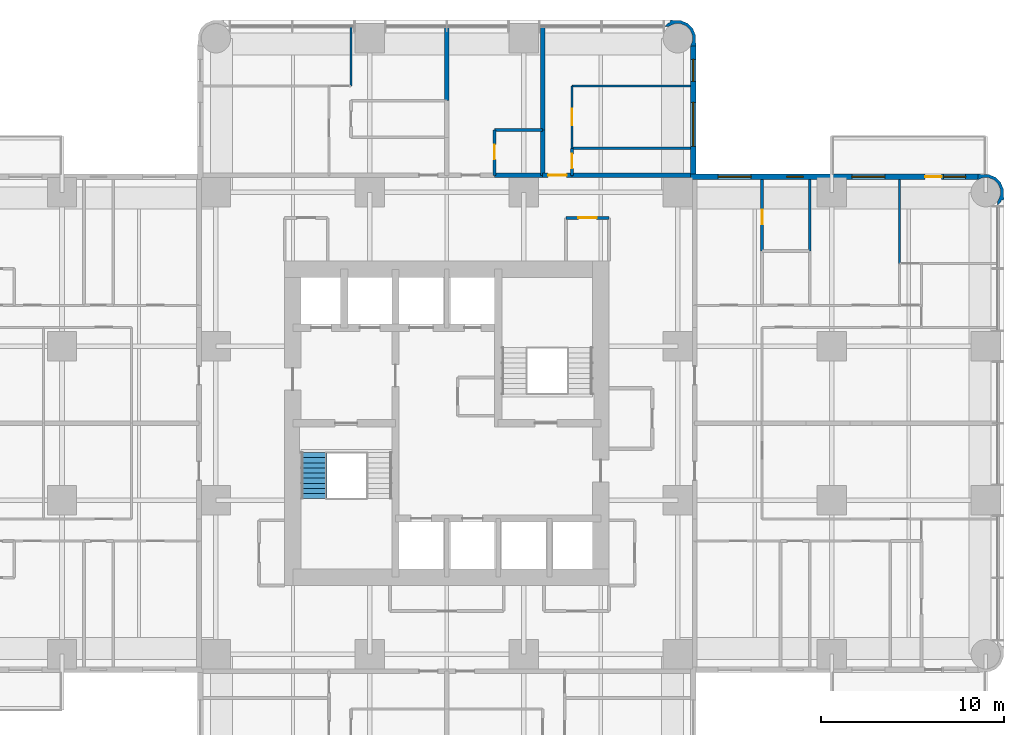
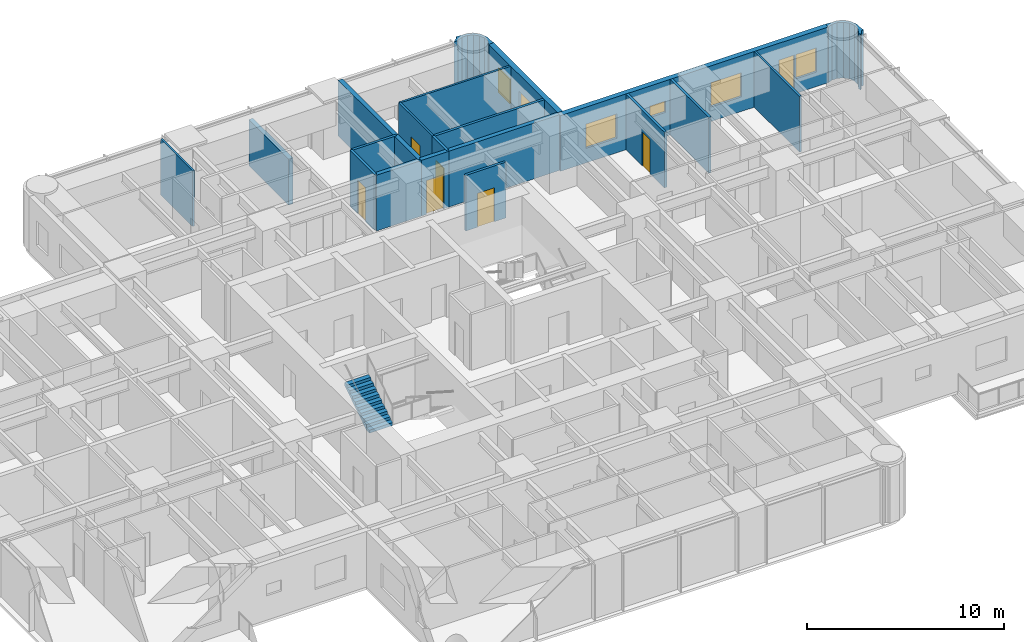
# One storey, part 12 of 15: 21 walls, 7 doors, 6 windows, 1 stair flight, 13 openings, 1 element without a shape of its own.
"""IFC4 building model written with IfcOpenShell, lengths in metres."""

from ifc_helpers import new_model, si_unit, direction, frame, frame_2d, origin, place, context, subcontext, project, spatial, polyline, rectangle, outline, extrude, material, layer, layer_set, type_object, element, fill, aggregate, save


model = new_model("IFC4")

# Units and contexts
model_context = context("Model", 3, precision=1e-05, world=origin(), true_north=direction((0.0, 1.0)))
body_context = subcontext(model_context, "Body", "Model", "MODEL_VIEW")
ifc_project = project(units=[si_unit("LENGTHUNIT", "METRE"), si_unit("AREAUNIT", "SQUARE_METRE"), si_unit("VOLUMEUNIT", "CUBIC_METRE"), si_unit("PLANEANGLEUNIT", "RADIAN"), si_unit("MASSUNIT", "GRAM", prefix="KILO")], contexts=[model_context])

# Site, building, storey
site_placement = place(None, origin())
site = spatial("IfcSite", under=ifc_project, at=site_placement, CompositionType="ELEMENT")
building_placement = place(site_placement, origin())
building = spatial("IfcBuilding", under=site, at=building_placement, Name="Torre Alcanfor", CompositionType="ELEMENT")
storey_placement = place(building_placement, frame((0.0, 0.0, 152.10009765625)))
storey = spatial("IfcBuildingStorey", under=building, at=storey_placement, Name="L39", CompositionType="ELEMENT", Elevation=152.10009765625)

# Wall
ifc_material_1 = material(Name="Concrete block masonry, hollow blocks NMX-C-404 9 MPa", Category="masonry")
ifc_layer_1 = layer(ifc_material_1, 0.25)
ifc_layer_set_1 = layer_set([ifc_layer_1], Name="Apartment entrance wall 250 EI 60")
wall_type_1 = type_object("IfcWallType", Name="Apartment entrance wall 250 EI 60", PredefinedType="PARTITIONING", material=ifc_layer_set_1)
wall_1_placement = place(storey_placement, frame((32.0, 42.925048828125, 0.0), z_axis=(0.0, 0.0, 1.0), x_axis=(1.0, 0.0, 0.0)))
element("IfcWall", 1, at=wall_1_placement, inside=storey, type_object=wall_type_1, Name="Partition L39-CORR / L39-N2A-BATH", PredefinedType="PARTITIONING", context=body_context, shape_type="SweptSolid", body=[
    extrude(rectangle(XDim=2.62890625, YDim=0.25, at=frame_2d((1.314453125, 0.0))), origin(), (0.0, 0.0, 1.0), 3.449951171875),
])

# Wall, opening, door
wall_2_placement = place(storey_placement, frame((34.62890625, 42.925048828125, 0.0), z_axis=(0.0, 0.0, 1.0), x_axis=(1.0, 0.0, 0.0)))
wall_2 = element("IfcWall", 2, at=wall_2_placement, inside=storey, type_object=wall_type_1, Name="Partition L39-CORR / L39-N2B-LIVING", PredefinedType="PARTITIONING", context=body_context, shape_type="SweptSolid", body=[
    extrude(rectangle(XDim=1.60009765625, YDim=0.25, at=frame_2d((0.800048828125, 0.0))), origin(), (0.0, 0.0, 1.0), 3.449951171875),
])
opening_1_placement = place(wall_2_placement, frame((0.300048828125, 0.0, 0.0)))
opening_1 = element("IfcOpeningElement", 3, at=opening_1_placement, cuts=wall_2, Name="Opening D-A1", PredefinedType="OPENING", context=body_context, shape_type="SweptSolid", body=[
    extrude(rectangle(XDim=1.0, YDim=2.10009765625, at=frame_2d((0.5, 1.050048828125))), frame((0.0, 0.135009765625, 0.0), z_axis=(0.0, -1.0, 0.0), x_axis=(1.0, 0.0, 0.0)), (0.0, 0.0, 1.0), 0.27001953125),
])
ifc_material_2 = material(Name="Galvanised steel sheet ASTM A653", Category="steel")
door_type_1 = type_object("IfcDoorType", Name="Apartment entrance door FD60 1000x2100", OperationType="SINGLE_SWING_LEFT", PredefinedType="DOOR", material=ifc_material_2)
door_1_placement = place(opening_1_placement, origin())
door_1 = element("IfcDoor", 4, at=door_1_placement, inside=storey, type_object=door_type_1, Name="Apartment entrance L39-N2B", OperationType="SINGLE_SWING_LEFT", OverallHeight=2.10009765625, OverallWidth=1.0, PredefinedType="DOOR", context=body_context, shape_type="SweptSolid", body=[
    extrude(rectangle(XDim=1.0, YDim=2.10009765625, at=frame_2d((0.5, 1.050048828125))), frame((0.0, 0.02490234375, 0.0), z_axis=(0.0, -1.0, 0.0), x_axis=(1.0, 0.0, 0.0)), (0.0, 0.0, 1.0), 0.050048828125),
])
fill(opening_1, door_1)

# Walls
wall_3_placement = place(storey_placement, frame((36.22900390625, 42.925048828125, 0.0), z_axis=(0.0, 0.0, 1.0), x_axis=(1.0, 0.0, 0.0)))
element("IfcWall", 5, at=wall_3_placement, inside=storey, type_object=wall_type_1, Name="Partition L39-CORR / L39-N2B-BATH", PredefinedType="PARTITIONING", context=body_context, shape_type="SweptSolid", body=[
    extrude(rectangle(XDim=6.470947265625, YDim=0.25, at=frame_2d((3.2353515625, 0.0))), origin(), (0.0, 0.0, 1.0), 3.449951171875),
])
ifc_material_3 = material(Name="Gypsum board on steel studs", Category="steel")
ifc_layer_2 = layer(ifc_material_3, 0.1201171875)
ifc_layer_set_2 = layer_set([ifc_layer_2], Name="Apartment partition 120")
wall_type_2 = type_object("IfcWallType", Name="Apartment partition 120", PredefinedType="PARTITIONING", material=ifc_layer_set_2)
wall_4_placement = place(storey_placement, frame((24.1708984375, 47.800048828125, 0.0), z_axis=(0.0, 0.0, 1.0), x_axis=(0.0, 1.0, 0.0)))
element("IfcWall", 6, at=wall_4_placement, inside=storey, type_object=wall_type_2, Name="Partition L39-N1-LIVING / L39-N1-MASTER", PredefinedType="PARTITIONING", context=body_context, shape_type="SweptSolid", body=[
    extrude(rectangle(XDim=3.25, YDim=0.1201171875, at=frame_2d((1.625, 0.0))), origin(), (0.0, 0.0, 1.0), 3.449951171875),
])
wall_5_placement = place(storey_placement, frame((42.699951171875, 47.800048828125, 0.0), z_axis=(0.0, 0.0, 1.0), x_axis=(-1.0, 0.0, 0.0)))
element("IfcWall", 7, at=wall_5_placement, inside=storey, type_object=wall_type_2, Name="Partition L39-N2B-LIVING / L39-N2B-MASTER", PredefinedType="PARTITIONING", context=body_context, shape_type="SweptSolid", body=[
    extrude(rectangle(XDim=6.470947265625, YDim=0.1201171875, at=frame_2d((3.2353515625, 0.0))), origin(), (0.0, 0.0, 1.0), 3.449951171875),
])

# Wall, opening, door
wall_6_placement = place(storey_placement, frame((36.22900390625, 47.800048828125, 0.0), z_axis=(0.0, 0.0, 1.0), x_axis=(0.0, -1.0, 0.0)))
wall_6 = element("IfcWall", 8, at=wall_6_placement, inside=storey, type_object=wall_type_2, Name="Partition L39-N2B-LIVING / L39-N2B-MASTER", PredefinedType="PARTITIONING", context=body_context, shape_type="SweptSolid", body=[
    extrude(rectangle(XDim=3.400146484375, YDim=0.1201171875, at=frame_2d((1.7001953125, 0.0))), origin(), (0.0, 0.0, 1.0), 3.449951171875),
])
opening_2_placement = place(wall_6_placement, frame((1.25, 0.0, 0.0)))
opening_2 = element("IfcOpeningElement", 9, at=opening_2_placement, cuts=wall_6, Name="Opening D-R1", PredefinedType="OPENING", context=body_context, shape_type="SweptSolid", body=[
    extrude(rectangle(XDim=0.89990234375, YDim=2.10009765625, at=frame_2d((0.449951171875, 1.050048828125))), frame((0.0, 0.070068359375, 0.0), z_axis=(0.0, -1.0, 0.0), x_axis=(1.0, 0.0, 0.0)), (0.0, 0.0, 1.0), 0.14013671875),
])
ifc_material_4 = material(Name="Timber", Category="wood")
door_type_2 = type_object("IfcDoorType", Name="Internal door 900x2100", OperationType="SINGLE_SWING_LEFT", PredefinedType="DOOR", material=ifc_material_4)
door_2_placement = place(opening_2_placement, origin())
door_2 = element("IfcDoor", 10, at=door_2_placement, inside=storey, type_object=door_type_2, Name="Door L39-N2B master", OperationType="SINGLE_SWING_LEFT", OverallHeight=2.10009765625, OverallWidth=0.89990234375, PredefinedType="DOOR", context=body_context, shape_type="SweptSolid", body=[
    extrude(rectangle(XDim=0.89990234375, YDim=2.10009765625, at=frame_2d((0.449951171875, 1.050048828125))), frame((0.0, 0.02490234375, 0.0), z_axis=(0.0, -1.0, 0.0), x_axis=(1.0, 0.0, 0.0)), (0.0, 0.0, 1.0), 0.050048828125),
])
fill(opening_2, door_2)

# Wall
wall_7_placement = place(storey_placement, frame((54.10009765625, 38.114013671875, 0.0), z_axis=(0.0, 0.0, 1.0), x_axis=(0.0, 1.0, 0.0)))
element("IfcWall", 11, at=wall_7_placement, inside=storey, type_object=wall_type_2, Name="Partition L39-E1-BED3 / L39-E1-MASTER", PredefinedType="PARTITIONING", context=body_context, shape_type="SweptSolid", body=[
    extrude(rectangle(XDim=4.5859375, YDim=0.1201171875, at=frame_2d((2.29296875, 0.0))), origin(), (0.0, 0.0, 1.0), 3.449951171875),
])

# Wall, openings, door, windows
ifc_material_5 = material(Name="Limestone cladding", Category="masonry")
ifc_layer_3 = layer(ifc_material_5, 0.0400390625, Name="Facing")
ifc_material_6 = material(Name="Ventilated air cavity")
ifc_layer_4 = layer(ifc_material_6, 0.02001953125, ventilated=True, Name="Ventilated joint")
ifc_material_7 = material(Name="Mineral wool insulation", Category="insulation")
ifc_layer_5 = layer(ifc_material_7, 0.10009765625, Name="Insulation")
ifc_material_8 = material(Name="Concrete f'c 35 MPa", Category="concrete")
ifc_layer_6 = layer(ifc_material_8, 0.139892578125, Name="Backing")
ifc_layer_set_3 = layer_set([ifc_layer_3, ifc_layer_4, ifc_layer_5, ifc_layer_6], Name="External wall stone-clad 300")
wall_type_3 = type_object("IfcWallType", Name="External wall stone-clad 300", PredefinedType="SOLIDWALL", material=ifc_layer_set_3)
wall_8_placement = place(storey_placement, frame((58.39990234375, 42.85009765625, 0.0), z_axis=(0.0, 0.0, 1.0), x_axis=(-1.0, 0.0, 0.0)))
wall_8 = element("IfcWall", 12, at=wall_8_placement, inside=storey, type_object=wall_type_3, Name="External wall L39 9", PredefinedType="SOLIDWALL", context=body_context, shape_type="SweptSolid", body=[
    extrude(rectangle(XDim=15.699951171875, YDim=0.300048828125, at=frame_2d((7.85009765625, 0.0))), origin(), (0.0, 0.0, 1.0), 3.449951171875),
])
opening_3_placement = place(wall_8_placement, frame((12.39990234375, 0.0, 0.89990234375)))
opening_3 = element("IfcOpeningElement", 13, at=opening_3_placement, cuts=wall_8, Name="Opening W2", PredefinedType="OPENING", context=body_context, shape_type="SweptSolid", body=[
    extrude(rectangle(XDim=1.800048828125, YDim=1.5, at=frame_2d((0.89990234375, 0.75))), frame((0.0, 0.159912109375, 0.0), z_axis=(0.0, -1.0, 0.0), x_axis=(1.0, 0.0, 0.0)), (0.0, 0.0, 1.0), 0.320068359375),
])
opening_4_placement = place(wall_8_placement, frame((9.550048828125, 0.0, 1.5)))
opening_4 = element("IfcOpeningElement", 14, at=opening_4_placement, cuts=wall_8, Name="Opening W3", PredefinedType="OPENING", context=body_context, shape_type="SweptSolid", body=[
    extrude(rectangle(XDim=0.89990234375, YDim=0.699951171875, at=frame_2d((0.449951171875, 0.35009765625))), frame((0.0, 0.159912109375, 0.0), z_axis=(0.0, -1.0, 0.0), x_axis=(1.0, 0.0, 0.0)), (0.0, 0.0, 1.0), 0.320068359375),
])
opening_5_placement = place(wall_8_placement, frame((5.10009765625, 0.0, 0.89990234375)))
opening_5 = element("IfcOpeningElement", 15, at=opening_5_placement, cuts=wall_8, Name="Opening W2", PredefinedType="OPENING", context=body_context, shape_type="SweptSolid", body=[
    extrude(rectangle(XDim=1.800048828125, YDim=1.5, at=frame_2d((0.89990234375, 0.75))), frame((0.0, 0.159912109375, 0.0), z_axis=(0.0, -1.0, 0.0), x_axis=(1.0, 0.0, 0.0)), (0.0, 0.0, 1.0), 0.320068359375),
])
opening_6_placement = place(wall_8_placement, frame((2.0, 0.0, 0.0)))
opening_6 = element("IfcOpeningElement", 16, at=opening_6_placement, cuts=wall_8, Name="Opening D-B1", PredefinedType="OPENING", context=body_context, shape_type="SweptSolid", body=[
    extrude(rectangle(XDim=0.89990234375, YDim=2.39990234375, at=frame_2d((0.449951171875, 1.199951171875))), frame((0.0, 0.159912109375, 0.0), z_axis=(0.0, -1.0, 0.0), x_axis=(1.0, 0.0, 0.0)), (0.0, 0.0, 1.0), 0.320068359375),
])
opening_7_placement = place(wall_8_placement, frame((0.699951171875, 0.0, 0.89990234375)))
opening_7 = element("IfcOpeningElement", 17, at=opening_7_placement, cuts=wall_8, Name="Opening W4", PredefinedType="OPENING", context=body_context, shape_type="SweptSolid", body=[
    extrude(rectangle(XDim=1.199951171875, YDim=1.5, at=frame_2d((0.60009765625, 0.75))), frame((0.0, 0.159912109375, 0.0), z_axis=(0.0, -1.0, 0.0), x_axis=(1.0, 0.0, 0.0)), (0.0, 0.0, 1.0), 0.320068359375),
])
ifc_material_9 = material(Name="Aluminium and glass", Category="aluminium")
door_type_3 = type_object("IfcDoorType", Name="Balcony door glazed 900x2400", OperationType="SINGLE_SWING_LEFT", PredefinedType="DOOR", material=ifc_material_9)
door_3_placement = place(opening_6_placement, origin())
door_3 = element("IfcDoor", 18, at=door_3_placement, inside=storey, type_object=door_type_3, Name="Balcony door L39-E1", OperationType="SINGLE_SWING_RIGHT", OverallHeight=2.39990234375, OverallWidth=0.89990234375, PredefinedType="DOOR", context=body_context, shape_type="SweptSolid", body=[
    extrude(rectangle(XDim=0.89990234375, YDim=2.39990234375, at=frame_2d((0.449951171875, 1.199951171875))), frame((0.0, 0.02490234375, 0.0), z_axis=(0.0, -1.0, 0.0), x_axis=(1.0, 0.0, 0.0)), (0.0, 0.0, 1.0), 0.050048828125),
])
fill(opening_6, door_3)
ifc_material_10 = material(Name="Aluminium frame with clear double glazing", Category="aluminium")
window_type_1 = type_object("IfcWindowType", Name="Window bathroom 900x700", PartitioningType="SINGLE_PANEL", PredefinedType="WINDOW", material=ifc_material_10)
window_1_placement = place(opening_4_placement, origin())
window_1 = element("IfcWindow", 19, at=window_1_placement, inside=storey, type_object=window_type_1, Name="Window W3 L39-E1", OverallHeight=0.699951171875, OverallWidth=0.89990234375, PartitioningType="SINGLE_PANEL", PredefinedType="WINDOW", context=body_context, shape_type="SweptSolid", body=[
    extrude(rectangle(XDim=0.89990234375, YDim=0.699951171875, at=frame_2d((0.449951171875, 0.35009765625))), frame((0.0, 0.030029296875, 0.0), z_axis=(0.0, -1.0, 0.0), x_axis=(1.0, 0.0, 0.0)), (0.0, 0.0, 1.0), 0.06005859375),
])
fill(opening_4, window_1)
ifc_material_11 = material(Name="Aluminium frame with clear double glazing", Category="aluminium")
window_type_2 = type_object("IfcWindowType", Name="Window bedroom 1200x1500", PartitioningType="SINGLE_PANEL", PredefinedType="WINDOW", material=ifc_material_11)
window_2_placement = place(opening_7_placement, origin())
window_2 = element("IfcWindow", 20, at=window_2_placement, inside=storey, type_object=window_type_2, Name="Window W4 L39-E1", OverallHeight=1.5, OverallWidth=1.199951171875, PartitioningType="SINGLE_PANEL", PredefinedType="WINDOW", context=body_context, shape_type="SweptSolid", body=[
    extrude(rectangle(XDim=1.199951171875, YDim=1.5, at=frame_2d((0.60009765625, 0.75))), frame((0.0, 0.030029296875, 0.0), z_axis=(0.0, -1.0, 0.0), x_axis=(1.0, 0.0, 0.0)), (0.0, 0.0, 1.0), 0.06005859375),
])
fill(opening_7, window_2)
ifc_material_12 = material(Name="Aluminium frame with clear double glazing", Category="aluminium")
window_type_3 = type_object("IfcWindowType", Name="Window bedroom 1800x1500", PartitioningType="SINGLE_PANEL", PredefinedType="WINDOW", material=ifc_material_12)
window_3_placement = place(opening_3_placement, origin())
window_3 = element("IfcWindow", 21, at=window_3_placement, inside=storey, type_object=window_type_3, Name="Window W2 L39-E1", OverallHeight=1.5, OverallWidth=1.800048828125, PartitioningType="SINGLE_PANEL", PredefinedType="WINDOW", context=body_context, shape_type="SweptSolid", body=[
    extrude(rectangle(XDim=1.800048828125, YDim=1.5, at=frame_2d((0.89990234375, 0.75))), frame((0.0, 0.030029296875, 0.0), z_axis=(0.0, -1.0, 0.0), x_axis=(1.0, 0.0, 0.0)), (0.0, 0.0, 1.0), 0.06005859375),
])
fill(opening_3, window_3)
window_4_placement = place(opening_5_placement, origin())
window_4 = element("IfcWindow", 22, at=window_4_placement, inside=storey, type_object=window_type_3, Name="Window W2 L39-E1", OverallHeight=1.5, OverallWidth=1.800048828125, PartitioningType="SINGLE_PANEL", PredefinedType="WINDOW", context=body_context, shape_type="SweptSolid", body=[
    extrude(rectangle(XDim=1.800048828125, YDim=1.5, at=frame_2d((0.89990234375, 0.75))), frame((0.0, 0.030029296875, 0.0), z_axis=(0.0, -1.0, 0.0), x_axis=(1.0, 0.0, 0.0)), (0.0, 0.0, 1.0), 0.06005859375),
])
fill(opening_5, window_4)

# Wall, openings, windows
wall_9_placement = place(storey_placement, frame((42.85009765625, 43.0, 0.0), z_axis=(0.0, 0.0, 1.0), x_axis=(0.0, 1.0, 0.0)))
wall_9 = element("IfcWall", 23, at=wall_9_placement, inside=storey, type_object=wall_type_3, Name="External wall L39 10", PredefinedType="SOLIDWALL", context=body_context, shape_type="SweptSolid", body=[
    extrude(rectangle(XDim=7.0, YDim=0.300048828125, at=frame_2d((3.5, 0.0))), origin(), (0.0, 0.0, 1.0), 3.449951171875),
])
opening_8_placement = place(wall_9_placement, frame((1.5, 0.0, 0.89990234375)))
opening_8 = element("IfcOpeningElement", 24, at=opening_8_placement, cuts=wall_9, Name="Opening W1", PredefinedType="OPENING", context=body_context, shape_type="SweptSolid", body=[
    extrude(rectangle(XDim=2.39990234375, YDim=1.5, at=frame_2d((1.199951171875, 0.75))), frame((0.0, 0.159912109375, 0.0), z_axis=(0.0, -1.0, 0.0), x_axis=(1.0, 0.0, 0.0)), (0.0, 0.0, 1.0), 0.320068359375),
])
opening_9_placement = place(wall_9_placement, frame((5.050048828125, 0.0, 0.89990234375)))
opening_9 = element("IfcOpeningElement", 25, at=opening_9_placement, cuts=wall_9, Name="Opening W4", PredefinedType="OPENING", context=body_context, shape_type="SweptSolid", body=[
    extrude(rectangle(XDim=1.199951171875, YDim=1.5, at=frame_2d((0.60009765625, 0.75))), frame((0.0, 0.159912109375, 0.0), z_axis=(0.0, -1.0, 0.0), x_axis=(1.0, 0.0, 0.0)), (0.0, 0.0, 1.0), 0.320068359375),
])
window_5_placement = place(opening_9_placement, origin())
window_5 = element("IfcWindow", 26, at=window_5_placement, inside=storey, type_object=window_type_2, Name="Window W4 L39-N2", OverallHeight=1.5, OverallWidth=1.199951171875, PartitioningType="SINGLE_PANEL", PredefinedType="WINDOW", context=body_context, shape_type="SweptSolid", body=[
    extrude(rectangle(XDim=1.199951171875, YDim=1.5, at=frame_2d((0.60009765625, 0.75))), frame((0.0, 0.030029296875, 0.0), z_axis=(0.0, -1.0, 0.0), x_axis=(1.0, 0.0, 0.0)), (0.0, 0.0, 1.0), 0.06005859375),
])
fill(opening_9, window_5)
ifc_material_13 = material(Name="Aluminium frame with clear double glazing", Category="aluminium")
window_type_4 = type_object("IfcWindowType", Name="Window bedroom 2400x1500", PartitioningType="SINGLE_PANEL", PredefinedType="WINDOW", material=ifc_material_13)
window_6_placement = place(opening_8_placement, origin())
window_6 = element("IfcWindow", 27, at=window_6_placement, inside=storey, type_object=window_type_4, Name="Window W1 L39-N2", OverallHeight=1.5, OverallWidth=2.39990234375, PartitioningType="SINGLE_PANEL", PredefinedType="WINDOW", context=body_context, shape_type="SweptSolid", body=[
    extrude(rectangle(XDim=2.39990234375, YDim=1.5, at=frame_2d((1.199951171875, 0.75))), frame((0.0, 0.030029296875, 0.0), z_axis=(0.0, -1.0, 0.0), x_axis=(1.0, 0.0, 0.0)), (0.0, 0.0, 1.0), 0.06005859375),
])
fill(opening_8, window_6)

# Walls
ifc_material_14 = material(Name="Concrete block masonry, hollow blocks NMX-C-404 9 MPa", Category="masonry")
ifc_layer_7 = layer(ifc_material_14, 0.25)
ifc_layer_set_4 = layer_set([ifc_layer_7], Name="Party wall 250 EI 60")
wall_type_4 = type_object("IfcWallType", Name="Party wall 250 EI 60", PredefinedType="PARTITIONING", material=ifc_layer_set_4)
wall_10_placement = place(storey_placement, frame((29.39990234375, 51.050048828125, 0.0), z_axis=(0.0, 0.0, 1.0), x_axis=(0.0, -1.0, 0.0)))
element("IfcWall", 28, at=wall_10_placement, inside=storey, type_object=wall_type_4, Name="Partition L39-N1-LIVING / L39-N2A-STUDIO", PredefinedType="PARTITIONING", context=body_context, shape_type="SweptSolid", body=[
    extrude(rectangle(XDim=4.050048828125, YDim=0.25, at=frame_2d((2.02490234375, 0.0))), origin(), (0.0, 0.0, 1.0), 2.847900390625),
])
wall_11_placement = place(storey_placement, frame((34.62890625, 51.050048828125, 0.0), z_axis=(0.0, 0.0, 1.0), x_axis=(0.0, -1.0, 0.0)))
element("IfcWall", 29, at=wall_11_placement, inside=storey, type_object=wall_type_4, Name="Partition L39-N2A-STUDIO / L39-N2B-LIVING", PredefinedType="PARTITIONING", context=body_context, shape_type="SweptSolid", body=[
    extrude(rectangle(XDim=5.650146484375, YDim=0.25, at=frame_2d((2.8251953125, 0.0))), origin(), (0.0, 0.0, 1.0), 3.449951171875),
])
wall_12_placement = place(storey_placement, frame((34.62890625, 45.39990234375, 0.0), z_axis=(0.0, 0.0, 1.0), x_axis=(0.0, -1.0, 0.0)))
element("IfcWall", 30, at=wall_12_placement, inside=storey, type_object=wall_type_4, Name="Partition L39-N2A-BATH / L39-N2B-LIVING", PredefinedType="PARTITIONING", context=body_context, shape_type="SweptSolid", body=[
    extrude(rectangle(XDim=2.474853515625, YDim=0.25, at=frame_2d((1.2373046875, 0.0))), origin(), (0.0, 0.0, 1.0), 3.449951171875),
])

# Wall, opening, door
ifc_material_15 = material(Name="Concrete block masonry, hollow blocks NMX-C-404 9 MPa", Category="masonry")
ifc_layer_8 = layer(ifc_material_15, 0.14990234375)
ifc_layer_set_5 = layer_set([ifc_layer_8], Name="Residents' room partition 150")
wall_type_5 = type_object("IfcWallType", Name="Residents' room partition 150", PredefinedType="PARTITIONING", material=ifc_layer_set_5)
wall_13_placement = place(storey_placement, frame((38.25, 40.60009765625, 0.0), z_axis=(0.0, 0.0, 1.0), x_axis=(-1.0, 0.0, 0.0)))
wall_13 = element("IfcWall", 31, at=wall_13_placement, inside=storey, type_object=wall_type_5, Name="Partition L39-CORR / L39-G02", PredefinedType="PARTITIONING", context=body_context, shape_type="SweptSolid", body=[
    extrude(rectangle(XDim=2.35009765625, YDim=0.14990234375, at=frame_2d((1.175048828125, 0.0))), origin(), (0.0, 0.0, 1.0), 3.449951171875),
])
opening_10_placement = place(wall_13_placement, frame((0.675048828125, 0.0, 0.0)))
opening_10 = element("IfcOpeningElement", 32, at=opening_10_placement, cuts=wall_13, Name="Opening D-M1", PredefinedType="OPENING", context=body_context, shape_type="SweptSolid", body=[
    extrude(rectangle(XDim=1.0, YDim=2.10009765625, at=frame_2d((0.5, 1.050048828125))), frame((0.0, 0.0849609375, 0.0), z_axis=(0.0, -1.0, 0.0), x_axis=(1.0, 0.0, 0.0)), (0.0, 0.0, 1.0), 0.169921875),
])
ifc_material_16 = material(Name="Timber", Category="wood")
door_type_4 = type_object("IfcDoorType", Name="Residents' room door 1000x2100", OperationType="SINGLE_SWING_LEFT", PredefinedType="DOOR", material=ifc_material_16)
door_4_placement = place(opening_10_placement, origin())
door_4 = element("IfcDoor", 33, at=door_4_placement, inside=storey, type_object=door_type_4, Name="Door L39-G02 parcel room", OperationType="SINGLE_SWING_LEFT", OverallHeight=2.10009765625, OverallWidth=1.0, PredefinedType="DOOR", context=body_context, shape_type="SweptSolid", body=[
    extrude(rectangle(XDim=1.0, YDim=2.10009765625, at=frame_2d((0.5, 1.050048828125))), frame((0.0, 0.02490234375, 0.0), z_axis=(0.0, -1.0, 0.0), x_axis=(1.0, 0.0, 0.0)), (0.0, 0.0, 1.0), 0.050048828125),
])
fill(opening_10, door_4)

# Walls
ifc_layer_9 = layer(ifc_material_5, 0.0400390625, Name="Facing")
ifc_layer_10 = layer(ifc_material_6, 0.02001953125, ventilated=True, Name="Ventilated joint")
ifc_layer_11 = layer(ifc_material_7, 0.10009765625, Name="Insulation")
ifc_layer_12 = layer(ifc_material_8, 0.139892578125, Name="Backing")
ifc_layer_set_6 = layer_set([ifc_layer_9, ifc_layer_10, ifc_layer_11, ifc_layer_12], Name="Rounded corner pier stone-clad 300")
wall_type_6 = type_object("IfcWallType", Name="Rounded corner pier stone-clad 300", PredefinedType="SOLIDWALL", material=ifc_layer_set_6)
wall_14_placement = place(storey_placement, frame((59.395317512, 41.351928198, 0.0), z_axis=(0.0, 0.0, 1.0), x_axis=(0.93923434088, 0.343276641956, 0.0)))
element("IfcWall", 34, at=wall_14_placement, inside=storey, type_object=wall_type_6, Name="Corner pier L39 18", PredefinedType="SOLIDWALL", context=body_context, shape_type="SweptSolid", body=[
    extrude(outline(polyline([(0.5319791374717469, 0.3931546875748424), (0.6305370795958255, 0.662817672163305), (0.614285462759775, 1.044364627998893), (0.4533652442516045, 1.3906676424071163), (0.17222000156622597, 1.6491237258576117), (-0.09744298302223653, 1.7476816679816904), (-0.36918355555989557, 1.8896284089825286), (-0.509101456401082, 1.6213052972671853), (-0.49052773042177455, 1.6145168675800676), (-0.47941981662998623, 1.6086375342973744), (-0.2113919059229058, 1.6201101578142136), (0.08785145707704622, 1.5107410128550955), (0.32257352025202113, 1.2952455132706726), (0.4567838912150332, 1.0060128786275908), (0.47036434537540095, 0.687566849311498), (0.36107900819019806, 0.38855279157054984), (0.14535420334677107, 0.1539145361694899), (0.10800994465551556, 0.13637103018492347), (0.030906792653685306, -0.07458980809856762), (0.2410056377422186, 0.023039004395991533), (0.3334055822831027, 0.12365495968313633), (0.46532832919806827, 0.0941544704520565), (0.5319791374717469, 0.3931546875748424)])), origin(), (0.0, 0.0, 1.0), 3.449951171875),
])
wall_15_placement = place(storey_placement, frame((42.817059488, 50.073176205, 0.0), z_axis=(0.0, 0.0, 1.0), x_axis=(0.343276641956, 0.93923434088, 0.0)))
element("IfcWall", 35, at=wall_15_placement, inside=storey, type_object=wall_type_6, Name="Corner pier L39 19", PredefinedType="SOLIDWALL", context=body_context, shape_type="SweptSolid", body=[
    extrude(outline(polyline([(0.2655808672444785, -0.0550807599050476), (0.5354731570919448, 0.04356098999294611), (0.8166183997773234, 0.30201707344344164), (0.9775386182854939, 0.6483200878516648), (0.9937902351215443, 1.0298670436872528), (0.8952322929974657, 1.2995300282757154), (0.8283521794647835, 1.5984464376245864), (0.6966587378088214, 1.5690297561674216), (0.6042587932679374, 1.6696457114545662), (0.39415994817940425, 1.7672745239491254), (0.47126310018123446, 1.5563136856656343), (0.50860735887249, 1.538770179681068), (0.7241028584569131, 1.304048116506093), (0.833388195642116, 1.0050340587651447), (0.8200370467407522, 0.686671837222967), (0.68582667577774, 0.3974392025798854), (0.4511046126027651, 0.18194370299546214), (0.15186124960281305, 0.07257455803634424), (-0.11616666110426738, 0.08404718155318341), (-0.12750388015505948, 0.07808404049657515), (-0.14607760613436685, 0.07129561080945748), (-0.0059304000341767055, -0.19694369313197083), (0.2655808672444785, -0.0550807599050476)])), origin(), (0.0, 0.0, 1.0), 3.449951171875),
])
ifc_material_17 = material(Name="Cement board on steel studs", Category="steel")
ifc_layer_13 = layer(ifc_material_17, 0.14990234375)
ifc_layer_set_7 = layer_set([ifc_layer_13], Name="Wet area partition 150")
wall_type_7 = type_object("IfcWallType", Name="Wet area partition 150", PredefinedType="PARTITIONING", material=ifc_layer_set_7)
wall_16_placement = place(storey_placement, frame((34.62890625, 45.39990234375, 0.0), z_axis=(0.0, 0.0, 1.0), x_axis=(-1.0, 0.0, 0.0)))
element("IfcWall", 36, at=wall_16_placement, inside=storey, type_object=wall_type_7, Name="Partition L39-N2A-STUDIO / L39-N2A-BATH", PredefinedType="PARTITIONING", context=body_context, shape_type="SweptSolid", body=[
    extrude(rectangle(XDim=2.62890625, YDim=0.14990234375, at=frame_2d((1.314453125, 0.0))), origin(), (0.0, 0.0, 1.0), 3.449951171875),
])

# Wall, opening, door
wall_17_placement = place(storey_placement, frame((32.0, 45.39990234375, 0.0), z_axis=(0.0, 0.0, 1.0), x_axis=(0.0, -1.0, 0.0)))
wall_17 = element("IfcWall", 37, at=wall_17_placement, inside=storey, type_object=wall_type_7, Name="Partition L39-N2A-STUDIO / L39-N2A-BATH", PredefinedType="PARTITIONING", context=body_context, shape_type="SweptSolid", body=[
    extrude(rectangle(XDim=2.474853515625, YDim=0.14990234375, at=frame_2d((1.2373046875, 0.0))), origin(), (0.0, 0.0, 1.0), 3.449951171875),
])
opening_11_placement = place(wall_17_placement, frame((0.800048828125, 0.0, 0.0)))
opening_11 = element("IfcOpeningElement", 38, at=opening_11_placement, cuts=wall_17, Name="Opening D-R2", PredefinedType="OPENING", context=body_context, shape_type="SweptSolid", body=[
    extrude(rectangle(XDim=0.800048828125, YDim=2.10009765625, at=frame_2d((0.39990234375, 1.050048828125))), frame((0.0, 0.0849609375, 0.0), z_axis=(0.0, -1.0, 0.0), x_axis=(1.0, 0.0, 0.0)), (0.0, 0.0, 1.0), 0.169921875),
])
ifc_material_18 = material(Name="Timber", Category="wood")
door_type_5 = type_object("IfcDoorType", Name="Bathroom door 800x2100", OperationType="SINGLE_SWING_LEFT", PredefinedType="DOOR", material=ifc_material_18)
door_5_placement = place(opening_11_placement, origin())
door_5 = element("IfcDoor", 39, at=door_5_placement, inside=storey, type_object=door_type_5, Name="Door L39-N2A bath", OperationType="SINGLE_SWING_LEFT", OverallHeight=2.10009765625, OverallWidth=0.800048828125, PredefinedType="DOOR", context=body_context, shape_type="SweptSolid", body=[
    extrude(rectangle(XDim=0.800048828125, YDim=2.10009765625, at=frame_2d((0.39990234375, 1.050048828125))), frame((0.0, 0.02490234375, 0.0), z_axis=(0.0, -1.0, 0.0), x_axis=(1.0, 0.0, 0.0)), (0.0, 0.0, 1.0), 0.050048828125),
])
fill(opening_11, door_5)

wall_18_placement = place(storey_placement, frame((36.22900390625, 44.39990234375, 0.0), z_axis=(0.0, 0.0, 1.0), x_axis=(0.0, -1.0, 0.0)))
wall_18 = element("IfcWall", 40, at=wall_18_placement, inside=storey, type_object=wall_type_7, Name="Partition L39-N2B-LIVING / L39-N2B-BATH", PredefinedType="PARTITIONING", context=body_context, shape_type="SweptSolid", body=[
    extrude(rectangle(XDim=1.474853515625, YDim=0.14990234375, at=frame_2d((0.7373046875, 0.0))), origin(), (0.0, 0.0, 1.0), 3.449951171875),
])
opening_12_placement = place(wall_18_placement, frame((0.300048828125, 0.0, 0.0)))
opening_12 = element("IfcOpeningElement", 41, at=opening_12_placement, cuts=wall_18, Name="Opening D-R2", PredefinedType="OPENING", context=body_context, shape_type="SweptSolid", body=[
    extrude(rectangle(XDim=0.800048828125, YDim=2.10009765625, at=frame_2d((0.39990234375, 1.050048828125))), frame((0.0, 0.0849609375, 0.0), z_axis=(0.0, -1.0, 0.0), x_axis=(1.0, 0.0, 0.0)), (0.0, 0.0, 1.0), 0.169921875),
])
door_6_placement = place(opening_12_placement, origin())
door_6 = element("IfcDoor", 42, at=door_6_placement, inside=storey, type_object=door_type_5, Name="Door L39-N2B bath", OperationType="SINGLE_SWING_LEFT", OverallHeight=2.10009765625, OverallWidth=0.800048828125, PredefinedType="DOOR", context=body_context, shape_type="SweptSolid", body=[
    extrude(rectangle(XDim=0.800048828125, YDim=2.10009765625, at=frame_2d((0.39990234375, 1.050048828125))), frame((0.0, 0.02490234375, 0.0), z_axis=(0.0, -1.0, 0.0), x_axis=(1.0, 0.0, 0.0)), (0.0, 0.0, 1.0), 0.050048828125),
])
fill(opening_12, door_6)

# Wall
wall_19_placement = place(storey_placement, frame((36.22900390625, 44.39990234375, 0.0), z_axis=(0.0, 0.0, 1.0), x_axis=(1.0, 0.0, 0.0)))
element("IfcWall", 43, at=wall_19_placement, inside=storey, type_object=wall_type_7, Name="Partition L39-N2B-BATH / L39-N2B-MASTER", PredefinedType="PARTITIONING", context=body_context, shape_type="SweptSolid", body=[
    extrude(rectangle(XDim=6.470947265625, YDim=0.14990234375, at=frame_2d((3.2353515625, 0.0))), origin(), (0.0, 0.0, 1.0), 3.449951171875),
])

# Wall, opening, door
wall_20_placement = place(storey_placement, frame((46.60009765625, 38.800048828125, 0.0), z_axis=(0.0, 0.0, 1.0), x_axis=(0.0, 1.0, 0.0)))
wall_20 = element("IfcWall", 44, at=wall_20_placement, inside=storey, type_object=wall_type_7, Name="Partition L39-E1-SERV / L39-E1-SBATH", PredefinedType="PARTITIONING", context=body_context, shape_type="SweptSolid", body=[
    extrude(rectangle(XDim=3.89990234375, YDim=0.14990234375, at=frame_2d((1.949951171875, 0.0))), origin(), (0.0, 0.0, 1.0), 3.449951171875),
])
opening_13_placement = place(wall_20_placement, frame((1.449951171875, 0.0, 0.0)))
opening_13 = element("IfcOpeningElement", 45, at=opening_13_placement, cuts=wall_20, Name="Opening D-R2", PredefinedType="OPENING", context=body_context, shape_type="SweptSolid", body=[
    extrude(rectangle(XDim=0.800048828125, YDim=2.10009765625, at=frame_2d((0.39990234375, 1.050048828125))), frame((0.0, 0.0849609375, 0.0), z_axis=(0.0, -1.0, 0.0), x_axis=(1.0, 0.0, 0.0)), (0.0, 0.0, 1.0), 0.169921875),
])
door_7_placement = place(opening_13_placement, frame((0.800048828125, 0.0, 0.0), z_axis=(0.0, 0.0, 1.0), x_axis=(-1.0, 0.0, 0.0)))
door_7 = element("IfcDoor", 46, at=door_7_placement, inside=storey, type_object=door_type_5, Name="Door L39-E1 sbath", OperationType="SINGLE_SWING_RIGHT", OverallHeight=2.10009765625, OverallWidth=0.800048828125, PredefinedType="DOOR", context=body_context, shape_type="SweptSolid", body=[
    extrude(rectangle(XDim=0.800048828125, YDim=2.10009765625, at=frame_2d((0.400146484375, 1.050048828125))), frame((0.0, 0.025146484375, 0.0), z_axis=(0.0, -1.0, 0.0), x_axis=(1.0, 0.0, 0.0)), (0.0, 0.0, 1.0), 0.050048828125),
])
fill(opening_13, door_7)

# Wall
wall_21_placement = place(storey_placement, frame((49.199951171875, 38.800048828125, 0.0), z_axis=(0.0, 0.0, 1.0), x_axis=(0.0, 1.0, 0.0)))
element("IfcWall", 47, at=wall_21_placement, inside=storey, type_object=wall_type_7, Name="Partition L39-E1-SBATH / L39-E1-BED3", PredefinedType="PARTITIONING", context=body_context, shape_type="SweptSolid", body=[
    extrude(rectangle(XDim=3.89990234375, YDim=0.14990234375, at=frame_2d((1.949951171875, 0.0))), origin(), (0.0, 0.0, 1.0), 3.449951171875),
])

# Stair, stair flight
ifc_material_19 = material(Name="Concrete f'c 35 MPa", Category="concrete")
stair_type = type_object("IfcStairType", Name="Exit stair S1 1400 wide", PredefinedType="HALF_TURN_STAIR", material=ifc_material_19)
stair_placement = place(storey_placement, origin())
stair = element("IfcStair", 48, at=stair_placement, inside=storey, type_object=stair_type, Name="Stair S1 L39 to L40", PredefinedType="HALF_TURN_STAIR")
ifc_material_20 = material(Name="Concrete f'c 35 MPa", Category="concrete")
stair_flight_type = type_object("IfcStairFlightType", Name="Stair flight 1400", PredefinedType="STRAIGHT", material=ifc_material_20)
stair_flight_placement = place(storey_placement, frame((22.14990234375, 25.280029296875, 1.7998046875), z_axis=(0.0, 0.0, 1.0), x_axis=(0.0, 1.0, 0.0)))
stair_flight = element("IfcStairFlight", 49, at=stair_flight_placement, type_object=stair_flight_type, Name="S1 flight 2", NumberOfRisers=10, NumberOfTreads=9, PredefinedType="STRAIGHT", RiserHeight=0.18, TreadLength=0.28, context=body_context, shape_type="SweptSolid", body=[
    extrude(outline(polyline([(0.0, 0.0), (0.0, 0.179931640625), (0.280029296875, 0.179931640625), (0.280029296875, 0.360107421875), (0.56005859375, 0.360107421875), (0.56005859375, 0.5400390625), (0.840087890625, 0.5400390625), (0.840087890625, 0.719970703125), (1.1201171875, 0.719970703125), (1.1201171875, 0.89990234375), (1.39990234375, 0.89990234375), (1.39990234375, 1.080078125), (1.679931640625, 1.080078125), (1.679931640625, 1.260009765625), (1.9599609375, 1.260009765625), (1.9599609375, 1.43994140625), (2.239990234375, 1.43994140625), (2.239990234375, 1.6201171875), (2.52001953125, 1.6201171875), (2.52001953125, 1.800048828125), (2.52001953125, 1.44189453125), (0.277099609375, 0.0), (0.0, 0.0)])), frame((0.0, 0.699951171875, 0.0), z_axis=(0.0, -1.0, 0.0), x_axis=(1.0, 0.0, 0.0)), (0.0, 0.0, 1.0), 1.39990234375),
])
aggregate(stair, [stair_flight])

save(model, "model.ifc")
